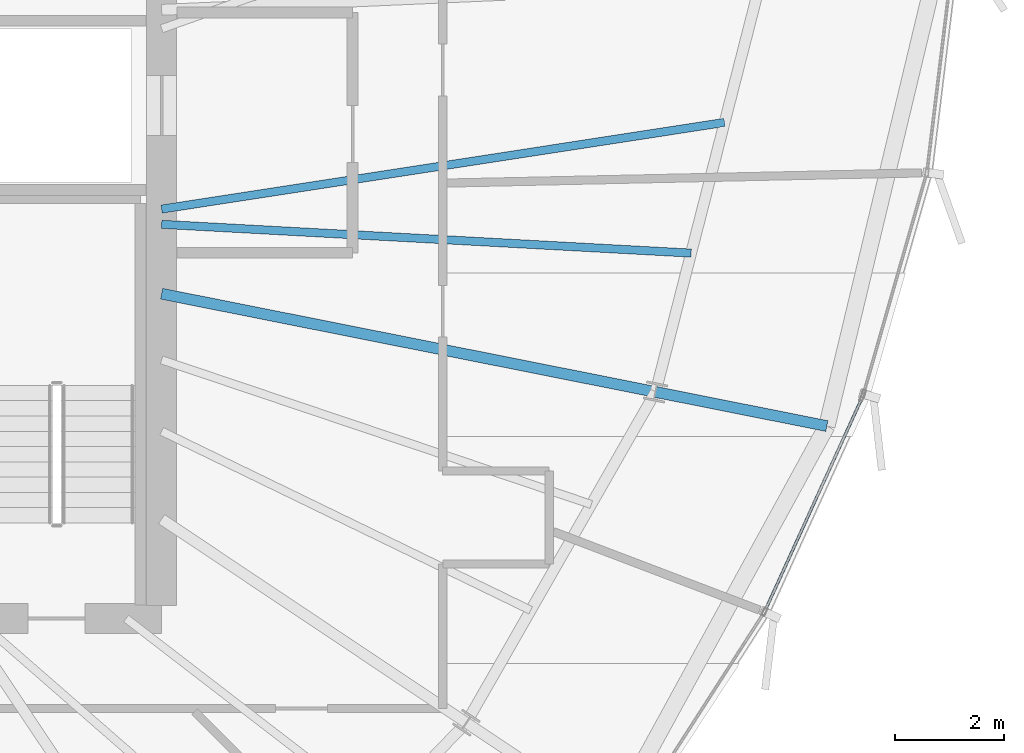
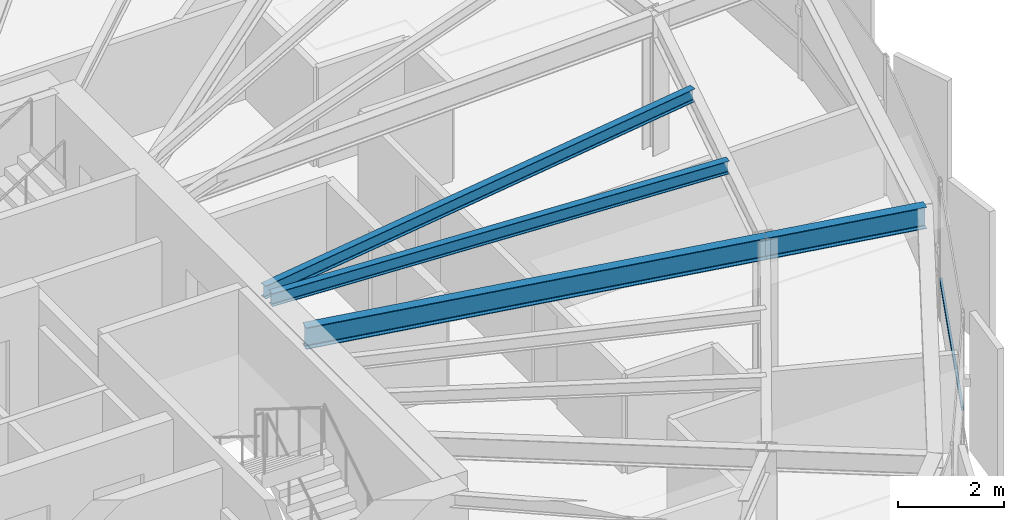
# One storey, part 14 of 34: 4 beams, 1 member, 1 element without a shape of its own.
"""IFC4 building model written with IfcOpenShell, lengths in metres."""

from ifc_helpers import new_model, si_unit, direction, frame, origin, origin_2d, place, context, subcontext, project, spatial, hollow_rectangle, i_section, extrude, source, transform, mapped, material, layer, layer_set, material_profile, profile_set, type_object, element, aggregate, save


model = new_model("IFC4")

# Units and contexts
model_context = context("Model", 3, precision=1e-05, world=origin(), true_north=direction((0.0, 1.0)))
body_context = subcontext(model_context, "Body", "Model", "MODEL_VIEW")
ifc_project = project(units=[si_unit("LENGTHUNIT", "METRE"), si_unit("AREAUNIT", "SQUARE_METRE"), si_unit("VOLUMEUNIT", "CUBIC_METRE"), si_unit("PLANEANGLEUNIT", "RADIAN"), si_unit("MASSUNIT", "GRAM", prefix="KILO"), si_unit("THERMODYNAMICTEMPERATUREUNIT", "KELVIN")], contexts=[model_context])

# Site, building, storey
site_placement = place(None, origin())
site = spatial("IfcSite", under=ifc_project, at=site_placement, CompositionType="ELEMENT")
building_placement = place(site_placement, origin())
building = spatial("IfcBuilding", under=site, at=building_placement, Name="Kethvar Cultural Tower", CompositionType="ELEMENT")
storey_placement = place(building_placement, frame((0.0, 0.0, 214.89990234375)))
storey = spatial("IfcBuildingStorey", under=building, at=storey_placement, Name="L56", CompositionType="ELEMENT", Elevation=214.89990234375)

# Beams
ifc_material_1 = material(Name="Steel S355J2", Category="steel")
ifc_material_profile_1 = material_profile(ifc_material_1, i_section(OverallWidth=0.199951171875, OverallDepth=0.5, WebThickness=0.01025390625, FlangeThickness=0.01611328125, FilletRadius=0.02099609375, at=origin_2d()), Name="Steel S355J2 — IPE500")
ifc_profile_set_1 = profile_set([ifc_material_profile_1], Name="Steel S355J2 — IPE500")
beam_type_1 = type_object("IfcBeamType", Name="BM-IPE500", PredefinedType="BEAM", material=ifc_profile_set_1)
shared_shape_1 = source(origin(), body_context, "Body", "SweptSolid", [
    extrude(i_section(OverallWidth=0.199951171875, OverallDepth=0.5, WebThickness=0.01025390625, FlangeThickness=0.01611328125, FilletRadius=0.02099609375, at=origin_2d()), origin(), (0.0, 0.0, 1.0), 3.199951171875),
])
beam_1_placement = place(storey_placement, frame((64.648681640625, 24.249755859375, 2.988037109375), z_axis=(0.980785550224, -0.195088965533, 0.0), x_axis=(0.195088965533, 0.980785550224, 0.0)))
element("IfcBeam", 1, at=beam_1_placement, inside=storey, type_object=beam_type_1, Name="L56 Perimeter Cantilever Beam RC-16", PredefinedType="BEAM", context=body_context, shape_type="MappedRepresentation", body=[
    mapped(shared_shape_1, transform((0.0, 0.0, 0.0), scale=1.0)),
])
shared_shape_2 = source(origin(), body_context, "Body", "SweptSolid", [
    extrude(i_section(OverallWidth=0.199951171875, OverallDepth=0.5, WebThickness=0.01025390625, FlangeThickness=0.01611328125, FilletRadius=0.02099609375, at=origin_2d()), origin(), (0.0, 0.0, 1.0), 9.225830078125),
])
beam_2_placement = place(storey_placement, frame((55.60009765625, 26.049560546875, 2.988037109375), z_axis=(0.980786744069, -0.195082963529, 0.0), x_axis=(0.195082963529, 0.980786744069, 0.0)))
element("IfcBeam", 2, at=beam_2_placement, inside=storey, type_object=beam_type_1, Name="L56 Primary Radial Beam RB-16", PredefinedType="BEAM", context=body_context, shape_type="MappedRepresentation", body=[
    mapped(shared_shape_2, transform((0.0, 0.0, 0.0), scale=1.0)),
])
ifc_material_profile_2 = material_profile(ifc_material_1, i_section(OverallWidth=0.14990234375, OverallDepth=0.300048828125, WebThickness=0.007080078125, FlangeThickness=0.0107421875, FilletRadius=0.014892578125, at=origin_2d()), Name="Steel S355J2 — IPE300")
ifc_profile_set_2 = profile_set([ifc_material_profile_2], Name="Steel S355J2 — IPE300")
beam_type_2 = type_object("IfcBeamType", Name="BM-J300", PredefinedType="JOIST", material=ifc_profile_set_2)
shared_shape_3 = source(origin(), body_context, "Body", "SweptSolid", [
    extrude(i_section(OverallWidth=0.14990234375, OverallDepth=0.300048828125, WebThickness=0.007080078125, FlangeThickness=0.0107421875, FilletRadius=0.014892578125, at=origin_2d()), origin(), (0.0, 0.0, 1.0), 9.714111328125),
])
beam_3_placement = place(storey_placement, frame((55.60009765625, 27.3212890625, 3.088134765625), z_axis=(0.998522658081, -0.054336923906, 0.0), x_axis=(0.054336923906, 0.998522658081, 0.0)))
element("IfcBeam", 3, at=beam_3_placement, inside=storey, type_object=beam_type_2, Name="L56 Composite Floor Joist J-16A", PredefinedType="JOIST", context=body_context, shape_type="MappedRepresentation", body=[
    mapped(shared_shape_3, transform((0.0, 0.0, 0.0), scale=1.0)),
])
shared_shape_4 = source(origin(), body_context, "Body", "SweptSolid", [
    extrude(i_section(OverallWidth=0.14990234375, OverallDepth=0.300048828125, WebThickness=0.007080078125, FlangeThickness=0.0107421875, FilletRadius=0.014892578125, at=origin_2d()), origin(), (0.0, 0.0, 1.0), 10.43408203125),
])
beam_4_placement = place(storey_placement, frame((55.60009765625, 27.60009765625, 3.088134765625), z_axis=(0.988359792691, 0.152134546343, 0.0), x_axis=(-0.152134546343, 0.988359792691, 0.0)))
element("IfcBeam", 4, at=beam_4_placement, inside=storey, type_object=beam_type_2, Name="L56 Composite Floor Joist J-16B", PredefinedType="JOIST", context=body_context, shape_type="MappedRepresentation", body=[
    mapped(shared_shape_4, transform((0.0, 0.0, 0.0), scale=1.0)),
])

# Curtain wall, member
ifc_material_2 = material(Name="Aluminium 6063-T6", Category="aluminium")
ifc_layer = layer(ifc_material_2, 0.179931640625, Name="Aluminium 6063-T6", Category="aluminium")
ifc_layer_set = layer_set([ifc_layer], Name="Aluminium 6063-T6 (180 mm)")
curtain_wall_type = type_object("IfcCurtainWallType", Name="CW-SYS-04-Z34", PredefinedType="NOTDEFINED", material=ifc_layer_set)
curtain_wall_placement = place(storey_placement, origin())
curtain_wall = element("IfcCurtainWall", 5, at=curtain_wall_placement, inside=storey, type_object=curtain_wall_type, Name="L56 Curtain Wall Run 05", PredefinedType="NOTDEFINED")
ifc_material_profile_3 = material_profile(ifc_material_2, hollow_rectangle(XDim=0.050048828125, YDim=0.10009765625, WallThickness=0.00390625, at=origin_2d()), Name="Aluminium 6063-T6 — RHS100x50x4")
ifc_profile_set_3 = profile_set([ifc_material_profile_3], Name="Aluminium 6063-T6 — RHS100x50x4")
member_type = type_object("IfcMemberType", Name="CW-SYS-04-Z34-TRN", PredefinedType="USERDEFINED", material=ifc_profile_set_3)
shared_shape_5 = source(origin(), body_context, "Body", "SweptSolid", [
    extrude(hollow_rectangle(XDim=0.050048828125, YDim=0.10009765625, WallThickness=0.00390625, at=origin_2d()), origin(), (0.0, 0.0, 1.0), 4.275146484375),
])
member_placement = place(storey_placement, frame((66.662109375, 20.2587890625, 0.9501953125), z_axis=(0.414435339029, 0.910078760198, 0.0), x_axis=(-0.910078760198, 0.414435339029, 0.0)))
member = element("IfcMember", 6, at=member_placement, type_object=member_type, Name="CW-L56-R05 Transom 6", ObjectType="TRANSOM", PredefinedType="USERDEFINED", context=body_context, shape_type="MappedRepresentation", body=[
    mapped(shared_shape_5, transform((0.0, 0.0, 0.0), scale=1.0)),
])
aggregate(curtain_wall, [member])

save(model, "model.ifc")
